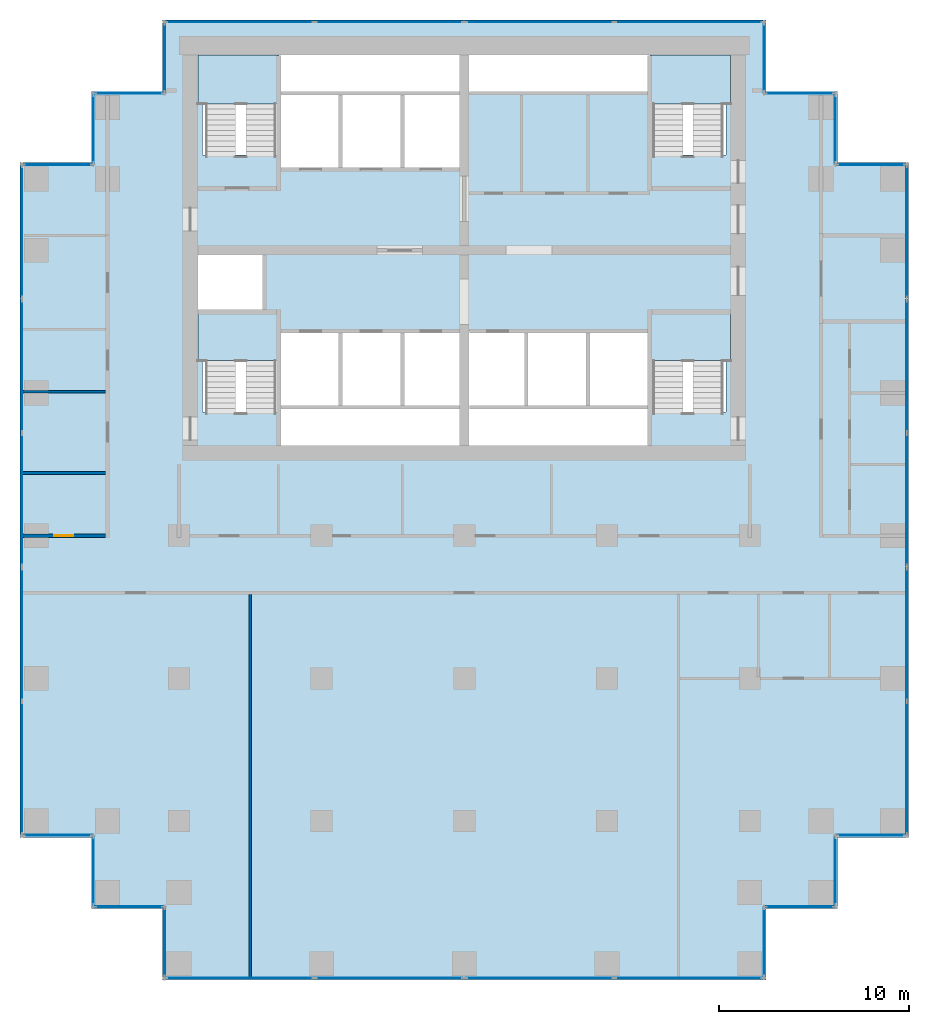
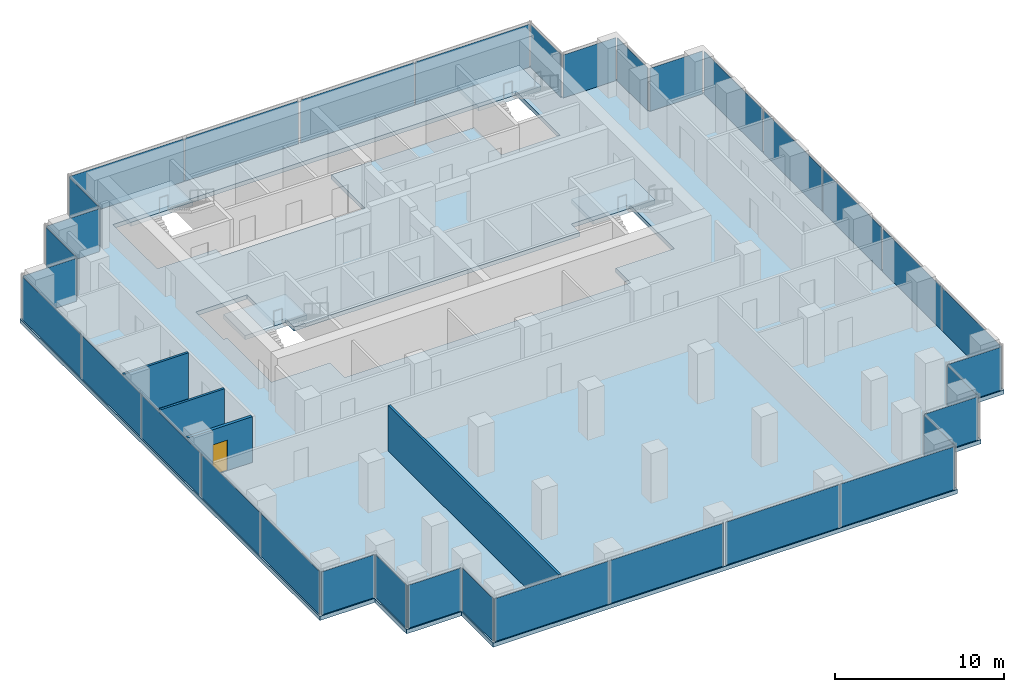
# One storey, part 6 of 10: 34 plates, 5 slabs, 4 walls, 1 door, 1 opening, 30 elements without a shape of their own.
"""IFC4 building model written with IfcOpenShell, lengths in metres."""

from ifc_helpers import new_model, si_unit, direction, frame, frame_2d, origin, origin_2d, place, context, subcontext, project, spatial, polyline, rectangle, outline, extrude, material, layer, layer_set, type_object, element, fill, aggregate, save


model = new_model("IFC4")

# Units and contexts
model_context = context("Model", 3, precision=1e-05, world=origin(), true_north=direction((0.0, 1.0)))
body_context = subcontext(model_context, "Body", "Model", "MODEL_VIEW")
ifc_project = project(units=[si_unit("LENGTHUNIT", "METRE"), si_unit("AREAUNIT", "SQUARE_METRE"), si_unit("VOLUMEUNIT", "CUBIC_METRE"), si_unit("PLANEANGLEUNIT", "RADIAN"), si_unit("MASSUNIT", "GRAM", prefix="KILO")], contexts=[model_context])

# Site, building, storey
site_placement = place(None, origin())
site = spatial("IfcSite", under=ifc_project, at=site_placement, CompositionType="ELEMENT")
building_placement = place(site_placement, origin())
building = spatial("IfcBuilding", under=site, at=building_placement, Name="Pilkhan Gate Tower", CompositionType="ELEMENT")
storey_placement = place(building_placement, frame((0.0, 0.0, 114.39990234375)))
storey = spatial("IfcBuildingStorey", under=building, at=storey_placement, Name="L28", CompositionType="ELEMENT", Elevation=114.39990234375)

# Slab
ifc_material_1 = material(Name="Concrete C40/50", Category="concrete")
ifc_layer_1 = layer(ifc_material_1, 0.300048828125)
ifc_layer_set_1 = layer_set([ifc_layer_1], Name="Flat plate slab FP300")
slab_type_1 = type_object("IfcSlabType", Name="Flat plate slab FP300", PredefinedType="FLOOR", material=ifc_layer_set_1)
slab_1_placement = place(storey_placement, frame((0.0, 0.0, -0.2998046875)))
element("IfcSlab", 1, at=slab_1_placement, inside=storey, type_object=slab_type_1, Name="Floor slab L28", PredefinedType="FLOOR", context=body_context, shape_type="SweptSolid", body=[
    extrude(outline(polyline([(94.60009765625, 47.89990234375), (90.85009765625, 47.89990234375), (90.85009765625, 44.14990234375), (59.14990234375, 44.14990234375), (59.14990234375, 47.89990234375), (55.39990234375, 47.89990234375), (55.39990234375, 51.64990234375), (51.64990234375, 51.64990234375), (51.64990234375, 87.10009765625), (55.39990234375, 87.10009765625), (55.39990234375, 90.85009765625), (59.14990234375, 90.85009765625), (59.14990234375, 94.60009765625), (90.85009765625, 94.60009765625), (90.85009765625, 90.85009765625), (94.60009765625, 90.85009765625), (94.60009765625, 87.10009765625), (98.35009765625, 87.10009765625), (98.35009765625, 51.64990234375), (94.60009765625, 51.64990234375), (94.60009765625, 47.89990234375)]), holes=[polyline([(65.25, 87.5), (65.25, 86.75), (68.5, 86.75), (71.75, 86.75), (75.0, 86.75), (75.0, 90.75), (84.75, 90.75), (84.75, 87.5), (88.75, 87.5), (88.75, 92.75), (84.75, 92.75), (75.0, 92.75), (65.25, 92.75), (61.25, 92.75), (61.25, 87.5), (65.25, 87.5)]), polyline([(75.0, 72.25), (84.75, 72.25), (84.75, 74.0), (88.75, 74.0), (88.75, 79.25), (84.75, 79.25), (84.75, 78.25), (81.5, 78.25), (78.25, 78.25), (75.0, 78.25), (71.75, 78.25), (68.5, 78.25), (65.25, 78.25), (65.25, 79.25), (64.5, 79.25), (64.5, 82.5), (61.25, 82.5), (61.0, 82.5), (61.0, 79.25), (61.25, 79.25), (61.25, 74.0), (65.25, 74.0), (65.25, 72.25), (75.0, 72.25)])]), origin(), (0.0, 0.0, 1.0), 0.2998046875),
])

# Curtain wall, plates
ifc_material_2 = material(Name="Pale anodised aluminium, clear low-iron double glazing", Category="aluminium")
curtain_wall_type = type_object("IfcCurtainWallType", Name="Office unitised curtain wall CW-O1", PredefinedType="USERDEFINED", material=ifc_material_2)
curtain_wall_1_placement = place(storey_placement, origin())
curtain_wall_1 = element("IfcCurtainWall", 2, at=curtain_wall_1_placement, inside=storey, type_object=curtain_wall_type, Name="Office unitised curtain wall CW-O1 L28 E", ObjectType="UNITISED CURTAIN WALL", PredefinedType="USERDEFINED")
ifc_material_3 = material(Name="Clear low-iron double glazing", Category="glass")
ifc_layer_2 = layer(ifc_material_3, 0.0400390625)
ifc_layer_set_2 = layer_set([ifc_layer_2], Name="Glass panel CW-O1 40")
plate_type = type_object("IfcPlateType", Name="Glass panel CW-O1 40", PredefinedType="CURTAIN_PANEL", material=ifc_layer_set_2)
plate_1_placement = place(storey_placement, frame((98.25, 55.29248046875, 0.0), z_axis=(0.0, 0.0, 1.0), x_axis=(0.0, 1.0, 0.0)))
plate_1 = element("IfcPlate", 3, at=plate_1_placement, type_object=plate_type, Name="CW-O1 panel 1", PredefinedType="CURTAIN_PANEL", context=body_context, shape_type="SweptSolid", body=[
    extrude(rectangle(XDim=6.945068359375, YDim=0.0400390625, at=origin_2d()), origin(), (0.0, 0.0, 1.0), 3.10009765625),
])
plate_2_placement = place(storey_placement, frame((98.25, 62.3076171875, 0.0), z_axis=(0.0, 0.0, 1.0), x_axis=(0.0, 1.0, 0.0)))
plate_2 = element("IfcPlate", 4, at=plate_2_placement, type_object=plate_type, Name="CW-O1 panel 2", PredefinedType="CURTAIN_PANEL", context=body_context, shape_type="SweptSolid", body=[
    extrude(rectangle(XDim=6.945068359375, YDim=0.0400390625, at=origin_2d()), origin(), (0.0, 0.0, 1.0), 3.10009765625),
])
aggregate(curtain_wall_1, [plate_1, plate_2])

curtain_wall_2_placement = place(storey_placement, origin())
curtain_wall_2 = element("IfcCurtainWall", 5, at=curtain_wall_2_placement, inside=storey, type_object=curtain_wall_type, Name="Office unitised curtain wall CW-O1 L28 E", ObjectType="UNITISED CURTAIN WALL", PredefinedType="USERDEFINED")
plate_3_placement = place(storey_placement, frame((98.25, 69.392578125, 0.0), z_axis=(0.0, 0.0, 1.0), x_axis=(0.0, 1.0, 0.0)))
plate_3 = element("IfcPlate", 6, at=plate_3_placement, type_object=plate_type, Name="CW-O1 panel 1", PredefinedType="CURTAIN_PANEL", context=body_context, shape_type="SweptSolid", body=[
    extrude(rectangle(XDim=6.945068359375, YDim=0.0400390625, at=origin_2d()), origin(), (0.0, 0.0, 1.0), 3.10009765625),
])
plate_4_placement = place(storey_placement, frame((98.25, 76.407470703125, 0.0), z_axis=(0.0, 0.0, 1.0), x_axis=(0.0, 1.0, 0.0)))
plate_4 = element("IfcPlate", 7, at=plate_4_placement, type_object=plate_type, Name="CW-O1 panel 2", PredefinedType="CURTAIN_PANEL", context=body_context, shape_type="SweptSolid", body=[
    extrude(rectangle(XDim=6.945068359375, YDim=0.0400390625, at=origin_2d()), origin(), (0.0, 0.0, 1.0), 3.10009765625),
])
aggregate(curtain_wall_2, [plate_3, plate_4])

# Curtain wall, plate
curtain_wall_3_placement = place(storey_placement, origin())
curtain_wall_3 = element("IfcCurtainWall", 8, at=curtain_wall_3_placement, inside=storey, type_object=curtain_wall_type, Name="Office unitised curtain wall CW-O1 L28 E", ObjectType="UNITISED CURTAIN WALL", PredefinedType="USERDEFINED")
plate_5_placement = place(storey_placement, frame((98.25, 83.47509765625, 0.0), z_axis=(0.0, 0.0, 1.0), x_axis=(0.0, 1.0, 0.0)))
plate_5 = element("IfcPlate", 9, at=plate_5_placement, type_object=plate_type, Name="CW-O1 panel 1", PredefinedType="CURTAIN_PANEL", context=body_context, shape_type="SweptSolid", body=[
    extrude(rectangle(XDim=6.909912109375, YDim=0.0400390625, at=origin_2d()), origin(), (0.0, 0.0, 1.0), 3.10009765625),
])
aggregate(curtain_wall_3, [plate_5])

curtain_wall_4_placement = place(storey_placement, origin())
curtain_wall_4 = element("IfcCurtainWall", 10, at=curtain_wall_4_placement, inside=storey, type_object=curtain_wall_type, Name="Office unitised curtain wall CW-O1 L28 N", ObjectType="UNITISED CURTAIN WALL", PredefinedType="USERDEFINED")
plate_6_placement = place(storey_placement, frame((96.375, 87.0, 0.0), z_axis=(0.0, 0.0, 1.0), x_axis=(1.0, 0.0, 0.0)))
plate_6 = element("IfcPlate", 11, at=plate_6_placement, type_object=plate_type, Name="CW-O1 panel 1", PredefinedType="CURTAIN_PANEL", context=body_context, shape_type="SweptSolid", body=[
    extrude(rectangle(XDim=3.610107421875, YDim=0.0400390625, at=origin_2d()), origin(), (0.0, 0.0, 1.0), 3.10009765625),
])
aggregate(curtain_wall_4, [plate_6])

curtain_wall_5_placement = place(storey_placement, origin())
curtain_wall_5 = element("IfcCurtainWall", 12, at=curtain_wall_5_placement, inside=storey, type_object=curtain_wall_type, Name="Office unitised curtain wall CW-O1 L28 E", ObjectType="UNITISED CURTAIN WALL", PredefinedType="USERDEFINED")
plate_7_placement = place(storey_placement, frame((94.5, 88.875, 0.0), z_axis=(0.0, 0.0, 1.0), x_axis=(0.0, 1.0, 0.0)))
plate_7 = element("IfcPlate", 13, at=plate_7_placement, type_object=plate_type, Name="CW-O1 panel 1", PredefinedType="CURTAIN_PANEL", context=body_context, shape_type="SweptSolid", body=[
    extrude(rectangle(XDim=3.610107421875, YDim=0.0400390625, at=origin_2d()), origin(), (0.0, 0.0, 1.0), 3.10009765625),
])
aggregate(curtain_wall_5, [plate_7])

curtain_wall_6_placement = place(storey_placement, origin())
curtain_wall_6 = element("IfcCurtainWall", 14, at=curtain_wall_6_placement, inside=storey, type_object=curtain_wall_type, Name="Office unitised curtain wall CW-O1 L28 N", ObjectType="UNITISED CURTAIN WALL", PredefinedType="USERDEFINED")
plate_8_placement = place(storey_placement, frame((92.625, 90.75, 0.0), z_axis=(0.0, 0.0, 1.0), x_axis=(1.0, 0.0, 0.0)))
plate_8 = element("IfcPlate", 15, at=plate_8_placement, type_object=plate_type, Name="CW-O1 panel 1", PredefinedType="CURTAIN_PANEL", context=body_context, shape_type="SweptSolid", body=[
    extrude(rectangle(XDim=3.610107421875, YDim=0.0400390625, at=origin_2d()), origin(), (0.0, 0.0, 1.0), 3.10009765625),
])
aggregate(curtain_wall_6, [plate_8])

curtain_wall_7_placement = place(storey_placement, origin())
curtain_wall_7 = element("IfcCurtainWall", 16, at=curtain_wall_7_placement, inside=storey, type_object=curtain_wall_type, Name="Office unitised curtain wall CW-O1 L28 E", ObjectType="UNITISED CURTAIN WALL", PredefinedType="USERDEFINED")
plate_9_placement = place(storey_placement, frame((90.75, 92.625, 0.0), z_axis=(0.0, 0.0, 1.0), x_axis=(0.0, 1.0, 0.0)))
plate_9 = element("IfcPlate", 17, at=plate_9_placement, type_object=plate_type, Name="CW-O1 panel 1", PredefinedType="CURTAIN_PANEL", context=body_context, shape_type="SweptSolid", body=[
    extrude(rectangle(XDim=3.610107421875, YDim=0.0400390625, at=origin_2d()), origin(), (0.0, 0.0, 1.0), 3.10009765625),
])
aggregate(curtain_wall_7, [plate_9])

# Curtain wall, plates
curtain_wall_8_placement = place(storey_placement, origin())
curtain_wall_8 = element("IfcCurtainWall", 18, at=curtain_wall_8_placement, inside=storey, type_object=curtain_wall_type, Name="Office unitised curtain wall CW-O1 L28 N", ObjectType="UNITISED CURTAIN WALL", PredefinedType="USERDEFINED")
plate_10_placement = place(storey_placement, frame((63.205078125, 94.5, 0.0), z_axis=(0.0, 0.0, 1.0), x_axis=(1.0, 0.0, 0.0)))
plate_10 = element("IfcPlate", 19, at=plate_10_placement, type_object=plate_type, Name="CW-O1 panel 1", PredefinedType="CURTAIN_PANEL", context=body_context, shape_type="SweptSolid", body=[
    extrude(rectangle(XDim=7.77001953125, YDim=0.0400390625, at=origin_2d()), origin(), (0.0, 0.0, 1.0), 3.10009765625),
])
plate_11_placement = place(storey_placement, frame((71.044921875, 94.5, 0.0), z_axis=(0.0, 0.0, 1.0), x_axis=(1.0, 0.0, 0.0)))
plate_11 = element("IfcPlate", 20, at=plate_11_placement, type_object=plate_type, Name="CW-O1 panel 2", PredefinedType="CURTAIN_PANEL", context=body_context, shape_type="SweptSolid", body=[
    extrude(rectangle(XDim=7.77001953125, YDim=0.0400390625, at=origin_2d()), origin(), (0.0, 0.0, 1.0), 3.10009765625),
])
aggregate(curtain_wall_8, [plate_10, plate_11])

curtain_wall_9_placement = place(storey_placement, origin())
curtain_wall_9 = element("IfcCurtainWall", 21, at=curtain_wall_9_placement, inside=storey, type_object=curtain_wall_type, Name="Office unitised curtain wall CW-O1 L28 N", ObjectType="UNITISED CURTAIN WALL", PredefinedType="USERDEFINED")
plate_12_placement = place(storey_placement, frame((78.955078125, 94.5, 0.0), z_axis=(0.0, 0.0, 1.0), x_axis=(1.0, 0.0, 0.0)))
plate_12 = element("IfcPlate", 22, at=plate_12_placement, type_object=plate_type, Name="CW-O1 panel 1", PredefinedType="CURTAIN_PANEL", context=body_context, shape_type="SweptSolid", body=[
    extrude(rectangle(XDim=7.77001953125, YDim=0.0400390625, at=origin_2d()), origin(), (0.0, 0.0, 1.0), 3.10009765625),
])
plate_13_placement = place(storey_placement, frame((86.794921875, 94.5, 0.0), z_axis=(0.0, 0.0, 1.0), x_axis=(1.0, 0.0, 0.0)))
plate_13 = element("IfcPlate", 23, at=plate_13_placement, type_object=plate_type, Name="CW-O1 panel 2", PredefinedType="CURTAIN_PANEL", context=body_context, shape_type="SweptSolid", body=[
    extrude(rectangle(XDim=7.77001953125, YDim=0.0400390625, at=origin_2d()), origin(), (0.0, 0.0, 1.0), 3.10009765625),
])
aggregate(curtain_wall_9, [plate_12, plate_13])

# Curtain wall, plate
curtain_wall_10_placement = place(storey_placement, origin())
curtain_wall_10 = element("IfcCurtainWall", 24, at=curtain_wall_10_placement, inside=storey, type_object=curtain_wall_type, Name="Office unitised curtain wall CW-O1 L28 W", ObjectType="UNITISED CURTAIN WALL", PredefinedType="USERDEFINED")
plate_14_placement = place(storey_placement, frame((59.25, 92.625, 0.0), z_axis=(0.0, 0.0, 1.0), x_axis=(0.0, 1.0, 0.0)))
plate_14 = element("IfcPlate", 25, at=plate_14_placement, type_object=plate_type, Name="CW-O1 panel 1", PredefinedType="CURTAIN_PANEL", context=body_context, shape_type="SweptSolid", body=[
    extrude(rectangle(XDim=3.610107421875, YDim=0.0400390625, at=origin_2d()), origin(), (0.0, 0.0, 1.0), 3.10009765625),
])
aggregate(curtain_wall_10, [plate_14])

curtain_wall_11_placement = place(storey_placement, origin())
curtain_wall_11 = element("IfcCurtainWall", 26, at=curtain_wall_11_placement, inside=storey, type_object=curtain_wall_type, Name="Office unitised curtain wall CW-O1 L28 N", ObjectType="UNITISED CURTAIN WALL", PredefinedType="USERDEFINED")
plate_15_placement = place(storey_placement, frame((57.375, 90.75, 0.0), z_axis=(0.0, 0.0, 1.0), x_axis=(1.0, 0.0, 0.0)))
plate_15 = element("IfcPlate", 27, at=plate_15_placement, type_object=plate_type, Name="CW-O1 panel 1", PredefinedType="CURTAIN_PANEL", context=body_context, shape_type="SweptSolid", body=[
    extrude(rectangle(XDim=3.610107421875, YDim=0.0400390625, at=origin_2d()), origin(), (0.0, 0.0, 1.0), 3.10009765625),
])
aggregate(curtain_wall_11, [plate_15])

curtain_wall_12_placement = place(storey_placement, origin())
curtain_wall_12 = element("IfcCurtainWall", 28, at=curtain_wall_12_placement, inside=storey, type_object=curtain_wall_type, Name="Office unitised curtain wall CW-O1 L28 W", ObjectType="UNITISED CURTAIN WALL", PredefinedType="USERDEFINED")
plate_16_placement = place(storey_placement, frame((55.5, 88.875, 0.0), z_axis=(0.0, 0.0, 1.0), x_axis=(0.0, 1.0, 0.0)))
plate_16 = element("IfcPlate", 29, at=plate_16_placement, type_object=plate_type, Name="CW-O1 panel 1", PredefinedType="CURTAIN_PANEL", context=body_context, shape_type="SweptSolid", body=[
    extrude(rectangle(XDim=3.610107421875, YDim=0.0400390625, at=origin_2d()), origin(), (0.0, 0.0, 1.0), 3.10009765625),
])
aggregate(curtain_wall_12, [plate_16])

curtain_wall_13_placement = place(storey_placement, origin())
curtain_wall_13 = element("IfcCurtainWall", 30, at=curtain_wall_13_placement, inside=storey, type_object=curtain_wall_type, Name="Office unitised curtain wall CW-O1 L28 N", ObjectType="UNITISED CURTAIN WALL", PredefinedType="USERDEFINED")
plate_17_placement = place(storey_placement, frame((53.625, 87.0, 0.0), z_axis=(0.0, 0.0, 1.0), x_axis=(1.0, 0.0, 0.0)))
plate_17 = element("IfcPlate", 31, at=plate_17_placement, type_object=plate_type, Name="CW-O1 panel 1", PredefinedType="CURTAIN_PANEL", context=body_context, shape_type="SweptSolid", body=[
    extrude(rectangle(XDim=3.610107421875, YDim=0.0400390625, at=origin_2d()), origin(), (0.0, 0.0, 1.0), 3.10009765625),
])
aggregate(curtain_wall_13, [plate_17])

# Curtain wall, plates
curtain_wall_14_placement = place(storey_placement, origin())
curtain_wall_14 = element("IfcCurtainWall", 32, at=curtain_wall_14_placement, inside=storey, type_object=curtain_wall_type, Name="Office unitised curtain wall CW-O1 L28 W", ObjectType="UNITISED CURTAIN WALL", PredefinedType="USERDEFINED")
plate_18_placement = place(storey_placement, frame((51.75, 55.29248046875, 0.0), z_axis=(0.0, 0.0, 1.0), x_axis=(0.0, 1.0, 0.0)))
plate_18 = element("IfcPlate", 33, at=plate_18_placement, type_object=plate_type, Name="CW-O1 panel 1", PredefinedType="CURTAIN_PANEL", context=body_context, shape_type="SweptSolid", body=[
    extrude(rectangle(XDim=6.945068359375, YDim=0.0400390625, at=origin_2d()), origin(), (0.0, 0.0, 1.0), 3.10009765625),
])
plate_19_placement = place(storey_placement, frame((51.75, 62.3076171875, 0.0), z_axis=(0.0, 0.0, 1.0), x_axis=(0.0, 1.0, 0.0)))
plate_19 = element("IfcPlate", 34, at=plate_19_placement, type_object=plate_type, Name="CW-O1 panel 2", PredefinedType="CURTAIN_PANEL", context=body_context, shape_type="SweptSolid", body=[
    extrude(rectangle(XDim=6.945068359375, YDim=0.0400390625, at=origin_2d()), origin(), (0.0, 0.0, 1.0), 3.10009765625),
])
aggregate(curtain_wall_14, [plate_18, plate_19])

curtain_wall_15_placement = place(storey_placement, origin())
curtain_wall_15 = element("IfcCurtainWall", 35, at=curtain_wall_15_placement, inside=storey, type_object=curtain_wall_type, Name="Office unitised curtain wall CW-O1 L28 W", ObjectType="UNITISED CURTAIN WALL", PredefinedType="USERDEFINED")
plate_20_placement = place(storey_placement, frame((51.75, 69.392578125, 0.0), z_axis=(0.0, 0.0, 1.0), x_axis=(0.0, 1.0, 0.0)))
plate_20 = element("IfcPlate", 36, at=plate_20_placement, type_object=plate_type, Name="CW-O1 panel 1", PredefinedType="CURTAIN_PANEL", context=body_context, shape_type="SweptSolid", body=[
    extrude(rectangle(XDim=6.945068359375, YDim=0.0400390625, at=origin_2d()), origin(), (0.0, 0.0, 1.0), 3.10009765625),
])
plate_21_placement = place(storey_placement, frame((51.75, 76.407470703125, 0.0), z_axis=(0.0, 0.0, 1.0), x_axis=(0.0, 1.0, 0.0)))
plate_21 = element("IfcPlate", 37, at=plate_21_placement, type_object=plate_type, Name="CW-O1 panel 2", PredefinedType="CURTAIN_PANEL", context=body_context, shape_type="SweptSolid", body=[
    extrude(rectangle(XDim=6.945068359375, YDim=0.0400390625, at=origin_2d()), origin(), (0.0, 0.0, 1.0), 3.10009765625),
])
aggregate(curtain_wall_15, [plate_20, plate_21])

# Curtain wall, plate
curtain_wall_16_placement = place(storey_placement, origin())
curtain_wall_16 = element("IfcCurtainWall", 38, at=curtain_wall_16_placement, inside=storey, type_object=curtain_wall_type, Name="Office unitised curtain wall CW-O1 L28 W", ObjectType="UNITISED CURTAIN WALL", PredefinedType="USERDEFINED")
plate_22_placement = place(storey_placement, frame((51.75, 83.47509765625, 0.0), z_axis=(0.0, 0.0, 1.0), x_axis=(0.0, 1.0, 0.0)))
plate_22 = element("IfcPlate", 39, at=plate_22_placement, type_object=plate_type, Name="CW-O1 panel 1", PredefinedType="CURTAIN_PANEL", context=body_context, shape_type="SweptSolid", body=[
    extrude(rectangle(XDim=6.909912109375, YDim=0.0400390625, at=origin_2d()), origin(), (0.0, 0.0, 1.0), 3.10009765625),
])
aggregate(curtain_wall_16, [plate_22])

curtain_wall_17_placement = place(storey_placement, origin())
curtain_wall_17 = element("IfcCurtainWall", 40, at=curtain_wall_17_placement, inside=storey, type_object=curtain_wall_type, Name="Office unitised curtain wall CW-O1 L28 S", ObjectType="UNITISED CURTAIN WALL", PredefinedType="USERDEFINED")
plate_23_placement = place(storey_placement, frame((53.625, 51.75, 0.0), z_axis=(0.0, 0.0, 1.0), x_axis=(1.0, 0.0, 0.0)))
plate_23 = element("IfcPlate", 41, at=plate_23_placement, type_object=plate_type, Name="CW-O1 panel 1", PredefinedType="CURTAIN_PANEL", context=body_context, shape_type="SweptSolid", body=[
    extrude(rectangle(XDim=3.610107421875, YDim=0.0400390625, at=origin_2d()), origin(), (0.0, 0.0, 1.0), 3.10009765625),
])
aggregate(curtain_wall_17, [plate_23])

curtain_wall_18_placement = place(storey_placement, origin())
curtain_wall_18 = element("IfcCurtainWall", 42, at=curtain_wall_18_placement, inside=storey, type_object=curtain_wall_type, Name="Office unitised curtain wall CW-O1 L28 W", ObjectType="UNITISED CURTAIN WALL", PredefinedType="USERDEFINED")
plate_24_placement = place(storey_placement, frame((55.5, 49.875, 0.0), z_axis=(0.0, 0.0, 1.0), x_axis=(0.0, 1.0, 0.0)))
plate_24 = element("IfcPlate", 43, at=plate_24_placement, type_object=plate_type, Name="CW-O1 panel 1", PredefinedType="CURTAIN_PANEL", context=body_context, shape_type="SweptSolid", body=[
    extrude(rectangle(XDim=3.610107421875, YDim=0.0400390625, at=origin_2d()), origin(), (0.0, 0.0, 1.0), 3.10009765625),
])
aggregate(curtain_wall_18, [plate_24])

curtain_wall_19_placement = place(storey_placement, origin())
curtain_wall_19 = element("IfcCurtainWall", 44, at=curtain_wall_19_placement, inside=storey, type_object=curtain_wall_type, Name="Office unitised curtain wall CW-O1 L28 S", ObjectType="UNITISED CURTAIN WALL", PredefinedType="USERDEFINED")
plate_25_placement = place(storey_placement, frame((57.375, 48.0, 0.0), z_axis=(0.0, 0.0, 1.0), x_axis=(1.0, 0.0, 0.0)))
plate_25 = element("IfcPlate", 45, at=plate_25_placement, type_object=plate_type, Name="CW-O1 panel 1", PredefinedType="CURTAIN_PANEL", context=body_context, shape_type="SweptSolid", body=[
    extrude(rectangle(XDim=3.610107421875, YDim=0.0400390625, at=origin_2d()), origin(), (0.0, 0.0, 1.0), 3.10009765625),
])
aggregate(curtain_wall_19, [plate_25])

curtain_wall_20_placement = place(storey_placement, origin())
curtain_wall_20 = element("IfcCurtainWall", 46, at=curtain_wall_20_placement, inside=storey, type_object=curtain_wall_type, Name="Office unitised curtain wall CW-O1 L28 W", ObjectType="UNITISED CURTAIN WALL", PredefinedType="USERDEFINED")
plate_26_placement = place(storey_placement, frame((59.25, 46.125, 0.0), z_axis=(0.0, 0.0, 1.0), x_axis=(0.0, 1.0, 0.0)))
plate_26 = element("IfcPlate", 47, at=plate_26_placement, type_object=plate_type, Name="CW-O1 panel 1", PredefinedType="CURTAIN_PANEL", context=body_context, shape_type="SweptSolid", body=[
    extrude(rectangle(XDim=3.610107421875, YDim=0.0400390625, at=origin_2d()), origin(), (0.0, 0.0, 1.0), 3.10009765625),
])
aggregate(curtain_wall_20, [plate_26])

# Curtain wall, plates
curtain_wall_21_placement = place(storey_placement, origin())
curtain_wall_21 = element("IfcCurtainWall", 48, at=curtain_wall_21_placement, inside=storey, type_object=curtain_wall_type, Name="Office unitised curtain wall CW-O1 L28 S", ObjectType="UNITISED CURTAIN WALL", PredefinedType="USERDEFINED")
plate_27_placement = place(storey_placement, frame((63.205078125, 44.25, 0.0), z_axis=(0.0, 0.0, 1.0), x_axis=(1.0, 0.0, 0.0)))
plate_27 = element("IfcPlate", 49, at=plate_27_placement, type_object=plate_type, Name="CW-O1 panel 1", PredefinedType="CURTAIN_PANEL", context=body_context, shape_type="SweptSolid", body=[
    extrude(rectangle(XDim=7.77001953125, YDim=0.0400390625, at=origin_2d()), origin(), (0.0, 0.0, 1.0), 3.10009765625),
])
plate_28_placement = place(storey_placement, frame((71.044921875, 44.25, 0.0), z_axis=(0.0, 0.0, 1.0), x_axis=(1.0, 0.0, 0.0)))
plate_28 = element("IfcPlate", 50, at=plate_28_placement, type_object=plate_type, Name="CW-O1 panel 2", PredefinedType="CURTAIN_PANEL", context=body_context, shape_type="SweptSolid", body=[
    extrude(rectangle(XDim=7.77001953125, YDim=0.0400390625, at=origin_2d()), origin(), (0.0, 0.0, 1.0), 3.10009765625),
])
aggregate(curtain_wall_21, [plate_27, plate_28])

curtain_wall_22_placement = place(storey_placement, origin())
curtain_wall_22 = element("IfcCurtainWall", 51, at=curtain_wall_22_placement, inside=storey, type_object=curtain_wall_type, Name="Office unitised curtain wall CW-O1 L28 S", ObjectType="UNITISED CURTAIN WALL", PredefinedType="USERDEFINED")
plate_29_placement = place(storey_placement, frame((78.955078125, 44.25, 0.0), z_axis=(0.0, 0.0, 1.0), x_axis=(1.0, 0.0, 0.0)))
plate_29 = element("IfcPlate", 52, at=plate_29_placement, type_object=plate_type, Name="CW-O1 panel 1", PredefinedType="CURTAIN_PANEL", context=body_context, shape_type="SweptSolid", body=[
    extrude(rectangle(XDim=7.77001953125, YDim=0.0400390625, at=origin_2d()), origin(), (0.0, 0.0, 1.0), 3.10009765625),
])
plate_30_placement = place(storey_placement, frame((86.794921875, 44.25, 0.0), z_axis=(0.0, 0.0, 1.0), x_axis=(1.0, 0.0, 0.0)))
plate_30 = element("IfcPlate", 53, at=plate_30_placement, type_object=plate_type, Name="CW-O1 panel 2", PredefinedType="CURTAIN_PANEL", context=body_context, shape_type="SweptSolid", body=[
    extrude(rectangle(XDim=7.77001953125, YDim=0.0400390625, at=origin_2d()), origin(), (0.0, 0.0, 1.0), 3.10009765625),
])
aggregate(curtain_wall_22, [plate_29, plate_30])

# Curtain wall, plate
curtain_wall_23_placement = place(storey_placement, origin())
curtain_wall_23 = element("IfcCurtainWall", 54, at=curtain_wall_23_placement, inside=storey, type_object=curtain_wall_type, Name="Office unitised curtain wall CW-O1 L28 E", ObjectType="UNITISED CURTAIN WALL", PredefinedType="USERDEFINED")
plate_31_placement = place(storey_placement, frame((90.75, 46.125, 0.0), z_axis=(0.0, 0.0, 1.0), x_axis=(0.0, 1.0, 0.0)))
plate_31 = element("IfcPlate", 55, at=plate_31_placement, type_object=plate_type, Name="CW-O1 panel 1", PredefinedType="CURTAIN_PANEL", context=body_context, shape_type="SweptSolid", body=[
    extrude(rectangle(XDim=3.610107421875, YDim=0.0400390625, at=origin_2d()), origin(), (0.0, 0.0, 1.0), 3.10009765625),
])
aggregate(curtain_wall_23, [plate_31])

curtain_wall_24_placement = place(storey_placement, origin())
curtain_wall_24 = element("IfcCurtainWall", 56, at=curtain_wall_24_placement, inside=storey, type_object=curtain_wall_type, Name="Office unitised curtain wall CW-O1 L28 S", ObjectType="UNITISED CURTAIN WALL", PredefinedType="USERDEFINED")
plate_32_placement = place(storey_placement, frame((92.625, 48.0, 0.0), z_axis=(0.0, 0.0, 1.0), x_axis=(1.0, 0.0, 0.0)))
plate_32 = element("IfcPlate", 57, at=plate_32_placement, type_object=plate_type, Name="CW-O1 panel 1", PredefinedType="CURTAIN_PANEL", context=body_context, shape_type="SweptSolid", body=[
    extrude(rectangle(XDim=3.610107421875, YDim=0.0400390625, at=origin_2d()), origin(), (0.0, 0.0, 1.0), 3.10009765625),
])
aggregate(curtain_wall_24, [plate_32])

curtain_wall_25_placement = place(storey_placement, origin())
curtain_wall_25 = element("IfcCurtainWall", 58, at=curtain_wall_25_placement, inside=storey, type_object=curtain_wall_type, Name="Office unitised curtain wall CW-O1 L28 E", ObjectType="UNITISED CURTAIN WALL", PredefinedType="USERDEFINED")
plate_33_placement = place(storey_placement, frame((94.5, 49.875, 0.0), z_axis=(0.0, 0.0, 1.0), x_axis=(0.0, 1.0, 0.0)))
plate_33 = element("IfcPlate", 59, at=plate_33_placement, type_object=plate_type, Name="CW-O1 panel 1", PredefinedType="CURTAIN_PANEL", context=body_context, shape_type="SweptSolid", body=[
    extrude(rectangle(XDim=3.610107421875, YDim=0.0400390625, at=origin_2d()), origin(), (0.0, 0.0, 1.0), 3.10009765625),
])
aggregate(curtain_wall_25, [plate_33])

curtain_wall_26_placement = place(storey_placement, origin())
curtain_wall_26 = element("IfcCurtainWall", 60, at=curtain_wall_26_placement, inside=storey, type_object=curtain_wall_type, Name="Office unitised curtain wall CW-O1 L28 S", ObjectType="UNITISED CURTAIN WALL", PredefinedType="USERDEFINED")
plate_34_placement = place(storey_placement, frame((96.375, 51.75, 0.0), z_axis=(0.0, 0.0, 1.0), x_axis=(1.0, 0.0, 0.0)))
plate_34 = element("IfcPlate", 61, at=plate_34_placement, type_object=plate_type, Name="CW-O1 panel 1", PredefinedType="CURTAIN_PANEL", context=body_context, shape_type="SweptSolid", body=[
    extrude(rectangle(XDim=3.610107421875, YDim=0.0400390625, at=origin_2d()), origin(), (0.0, 0.0, 1.0), 3.10009765625),
])
aggregate(curtain_wall_26, [plate_34])

# Stair, slab
ifc_material_4 = material(Name="Concrete C40/50 precast", Category="concrete")
stair_type_1 = type_object("IfcStairType", Name="Stair ST1 164x280", PredefinedType="HALF_TURN_STAIR", material=ifc_material_4)
stair_1_placement = place(storey_placement, origin())
stair_1 = element("IfcStair", 62, at=stair_1_placement, inside=storey, type_object=stair_type_1, Name="Stair ST1 L28", PredefinedType="HALF_TURN_STAIR")
ifc_layer_3 = layer(ifc_material_1, 0.199951171875)
ifc_layer_set_3 = layer_set([ifc_layer_3], Name="Stair landing SL200")
slab_type_2 = type_object("IfcSlabType", Name="Stair landing SL200", PredefinedType="LANDING", material=ifc_layer_set_3)
slab_2_placement = place(storey_placement, frame((0.0, 0.0, 1.5)))
slab_2 = element("IfcSlab", 63, at=slab_2_placement, type_object=slab_type_2, Name="ST1 landing 1", PredefinedType="LANDING", context=body_context, shape_type="SweptSolid", body=[
    extrude(outline(polyline([(89.0, 76.699951171875), (89.0, 79.25), (84.75, 79.25), (84.75, 76.699951171875), (89.0, 76.699951171875)])), origin(), (0.0, 0.0, 1.0), 0.300048828125),
])
aggregate(stair_1, [slab_2])

stair_type_2 = type_object("IfcStairType", Name="Stair ST2 164x280", PredefinedType="HALF_TURN_STAIR", material=ifc_material_4)
stair_2_placement = place(storey_placement, origin())
stair_2 = element("IfcStair", 64, at=stair_2_placement, inside=storey, type_object=stair_type_2, Name="Stair ST2 L28", PredefinedType="HALF_TURN_STAIR")
slab_3_placement = place(storey_placement, frame((0.0, 0.0, 1.5)))
slab_3 = element("IfcSlab", 65, at=slab_3_placement, type_object=slab_type_2, Name="ST2 landing 1", PredefinedType="LANDING", context=body_context, shape_type="SweptSolid", body=[
    extrude(outline(polyline([(65.25, 76.699951171875), (65.25, 79.25), (61.0, 79.25), (61.0, 76.699951171875), (65.25, 76.699951171875)])), origin(), (0.0, 0.0, 1.0), 0.300048828125),
])
aggregate(stair_2, [slab_3])

stair_type_3 = type_object("IfcStairType", Name="Stair ST3 164x280", PredefinedType="HALF_TURN_STAIR", material=ifc_material_4)
stair_3_placement = place(storey_placement, origin())
stair_3 = element("IfcStair", 66, at=stair_3_placement, inside=storey, type_object=stair_type_3, Name="Stair ST3 L28", PredefinedType="HALF_TURN_STAIR")
slab_4_placement = place(storey_placement, frame((0.0, 0.0, 1.5)))
slab_4 = element("IfcSlab", 67, at=slab_4_placement, type_object=slab_type_2, Name="ST3 landing 1", PredefinedType="LANDING", context=body_context, shape_type="SweptSolid", body=[
    extrude(outline(polyline([(65.25, 90.199951171875), (65.25, 92.75), (61.0, 92.75), (61.0, 90.199951171875), (65.25, 90.199951171875)])), origin(), (0.0, 0.0, 1.0), 0.300048828125),
])
aggregate(stair_3, [slab_4])

stair_type_4 = type_object("IfcStairType", Name="Stair ST4 164x280", PredefinedType="HALF_TURN_STAIR", material=ifc_material_4)
stair_4_placement = place(storey_placement, origin())
stair_4 = element("IfcStair", 68, at=stair_4_placement, inside=storey, type_object=stair_type_4, Name="Stair ST4 L28", PredefinedType="HALF_TURN_STAIR")
slab_5_placement = place(storey_placement, frame((0.0, 0.0, 1.5)))
slab_5 = element("IfcSlab", 69, at=slab_5_placement, type_object=slab_type_2, Name="ST4 landing 1", PredefinedType="LANDING", context=body_context, shape_type="SweptSolid", body=[
    extrude(outline(polyline([(89.0, 90.199951171875), (89.0, 92.75), (84.75, 92.75), (84.75, 90.199951171875), (89.0, 90.199951171875)])), origin(), (0.0, 0.0, 1.0), 0.300048828125),
])
aggregate(stair_4, [slab_5])

# Wall, opening, door
ifc_material_5 = material(Name="Dense blockwork", Category="masonry")
ifc_layer_4 = layer(ifc_material_5, 0.199951171875)
ifc_layer_set_4 = layer_set([ifc_layer_4], Name="Corridor wall FW200")
wall_type_1 = type_object("IfcWallType", Name="Corridor wall FW200", PredefinedType="PARTITIONING", material=ifc_layer_set_4)
wall_1_placement = place(storey_placement, frame((51.735107421875, 67.5, 0.0), z_axis=(0.0, 0.0, 1.0), x_axis=(1.0, 0.0, 0.0)))
wall_1 = element("IfcWall", 70, at=wall_1_placement, inside=storey, type_object=wall_type_1, Name="Partition L28", PredefinedType="PARTITIONING", context=body_context, shape_type="SweptSolid", body=[
    extrude(rectangle(XDim=4.414794921875, YDim=0.199951171875, at=frame_2d((2.20751953125, 0.0))), origin(), (0.0, 0.0, 1.0), 3.300048828125),
])
opening_placement = place(wall_1_placement, frame((1.699951171875, 0.0, 0.0)))
opening = element("IfcOpeningElement", 71, at=opening_placement, cuts=wall_1, Name="Opening L28-19", PredefinedType="OPENING", context=body_context, shape_type="SweptSolid", body=[
    extrude(rectangle(XDim=1.0, YDim=2.199951171875, at=frame_2d((0.5, 1.10009765625))), frame((0.0, 0.10986328125, 0.0), z_axis=(0.0, -1.0, 0.0), x_axis=(1.0, 0.0, 0.0)), (0.0, 0.0, 1.0), 0.219970703125),
])
ifc_material_6 = material(Name="Timber flush door, 30 minute fire resisting", Category="wood")
door_type = type_object("IfcDoorType", Name="Room door D03 1000x2200", OperationType="SINGLE_SWING_LEFT", PredefinedType="DOOR", material=ifc_material_6)
door_placement = place(opening_placement, origin())
door = element("IfcDoor", 72, at=door_placement, inside=storey, type_object=door_type, Name="Room door", OperationType="SINGLE_SWING_LEFT", OverallHeight=2.199951171875, OverallWidth=1.0, PredefinedType="DOOR", context=body_context, shape_type="SweptSolid", body=[
    extrude(rectangle(XDim=1.0, YDim=2.199951171875, at=frame_2d((0.5, 1.10009765625))), frame((0.0, 0.02490234375, 0.0), z_axis=(0.0, -1.0, 0.0), x_axis=(1.0, 0.0, 0.0)), (0.0, 0.0, 1.0), 0.050048828125),
])
fill(opening, door)

# Walls
ifc_material_7 = material(Name="Blockwork partition, plastered both sides", Category="masonry")
ifc_layer_5 = layer(ifc_material_7, 0.14990234375)
ifc_layer_set_5 = layer_set([ifc_layer_5], Name="Partition PW150")
wall_type_2 = type_object("IfcWallType", Name="Partition PW150", PredefinedType="PARTITIONING", material=ifc_layer_set_5)
for number, where, z_axis, x_axis, name in (
    (73, (51.735107421875, 70.7880859375, 0.0), (0.0, 0.0, 1.0), (1.0, 0.0, 0.0), "Partition L28"),
    (74, (51.735107421875, 75.06103515625, 0.0), (0.0, 0.0, 1.0), (1.0, 0.0, 0.0), "Partition L28"),
):
    element("IfcWall", number, at=place(storey_placement, frame(where, z_axis=z_axis, x_axis=x_axis)), inside=storey, type_object=wall_type_2, Name=name, PredefinedType="PARTITIONING", context=body_context, shape_type="SweptSolid", body=[
        extrude(rectangle(XDim=4.414794921875, YDim=0.14990234375, at=frame_2d((2.20751953125, 0.0))), origin(), (0.0, 0.0, 1.0), 3.300048828125),
    ])
wall_2_placement = place(storey_placement, frame((63.75, 44.235107421875, 0.0), z_axis=(0.0, 0.0, 1.0), x_axis=(0.0, 1.0, 0.0)))
element("IfcWall", 75, at=wall_2_placement, inside=storey, type_object=wall_type_2, Name="Partition L28", PredefinedType="PARTITIONING", context=body_context, shape_type="SweptSolid", body=[
    extrude(rectangle(XDim=20.164794921875, YDim=0.14990234375, at=frame_2d((10.08251953125, 0.0))), origin(), (0.0, 0.0, 1.0), 3.300048828125),
])

save(model, "model.ifc")
